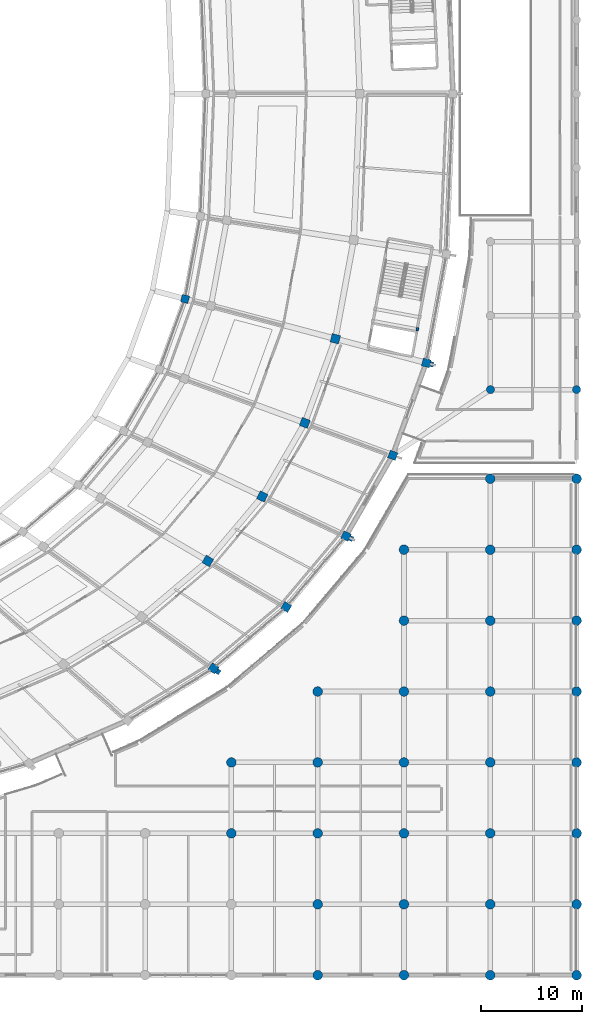
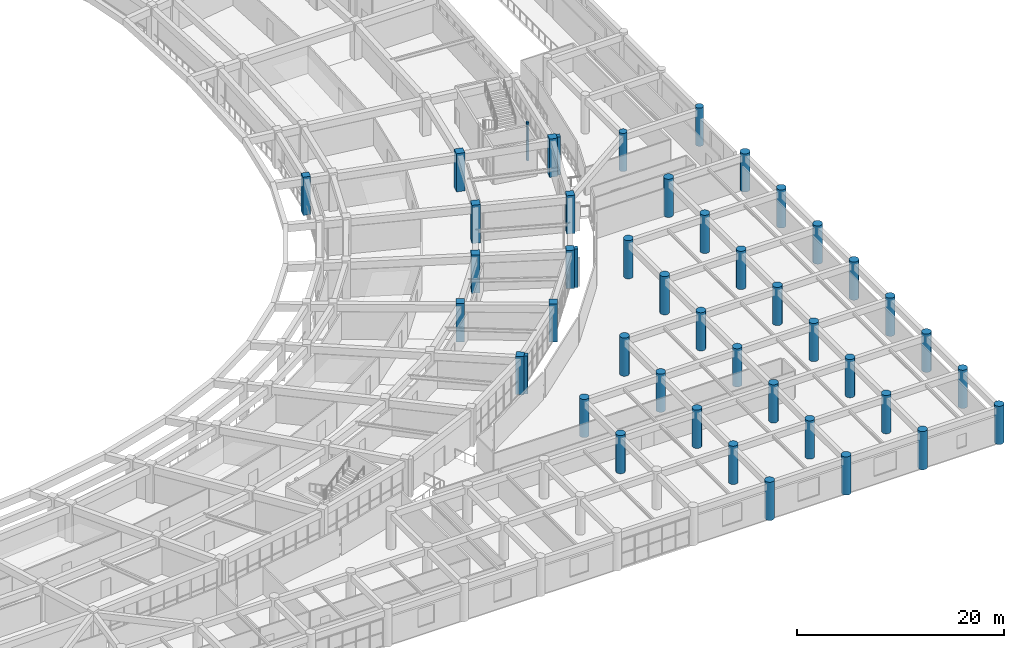
# One storey, part 5 of 145: 46 columns.
"""IFC4 building model written with IfcOpenShell, lengths in metres."""

from ifc_helpers import new_model, si_unit, direction, frame, origin, origin_2d, place, context, subcontext, project, spatial, rectangle, circle, extrude, material, material_profile, profile_set, type_object, element, save


model = new_model("IFC4")

# Units and contexts
model_context = context("Model", 3, precision=1e-05, world=origin(), true_north=direction((0.0, 1.0)))
body_context = subcontext(model_context, "Body", "Model", "MODEL_VIEW")
ifc_project = project(units=[si_unit("LENGTHUNIT", "METRE"), si_unit("AREAUNIT", "SQUARE_METRE"), si_unit("VOLUMEUNIT", "CUBIC_METRE"), si_unit("PLANEANGLEUNIT", "RADIAN"), si_unit("MASSUNIT", "GRAM", prefix="KILO")], contexts=[model_context])

# Site, building, storey
site_placement = place(None, origin())
site = spatial("IfcSite", under=ifc_project, at=site_placement, CompositionType="ELEMENT")
building_placement = place(site_placement, origin())
building = spatial("IfcBuilding", under=site, at=building_placement, Name="Mphavela Belvedere Stadium", CompositionType="ELEMENT")
storey_placement = place(building_placement, frame((0.0, 0.0, 10.199951171875)))
storey = spatial("IfcBuildingStorey", under=building, at=storey_placement, Name="L02", CompositionType="ELEMENT", Elevation=10.199951171875)

# Columns
ifc_material_1 = material(Name="Concrete C40/50", Category="concrete")
ifc_material_profile_1 = material_profile(ifc_material_1, rectangle(XDim=0.300048828125, YDim=0.219970703125, at=origin_2d()), Name="RC 300x220")
ifc_profile_set_1 = profile_set([ifc_material_profile_1], Name="Concrete C40/50")
column_type_1 = type_object("IfcColumnType", Name="COL-CORE-POST-300", PredefinedType="COLUMN", material=ifc_profile_set_1)
column_1_placement = place(storey_placement, frame((214.28955078125, 63.768798828125, 0.0), z_axis=(0.0, 0.0, 1.0), x_axis=(-0.182578735093, -0.983191235463, 0.0)))
element("IfcColumn", 1, at=column_1_placement, inside=storey, type_object=column_type_1, Name="Core C12 stair frame column L02-3", PredefinedType="COLUMN", context=body_context, shape_type="SweptSolid", body=[
    extrude(rectangle(XDim=0.300048828125, YDim=0.219970703125, at=origin_2d()), origin(), (0.0, 0.0, 1.0), 4.5),
])
ifc_material_2 = material(Name="Concrete C40/50", Category="concrete")
ifc_material_profile_2 = material_profile(ifc_material_2, circle(Radius=0.47509765625, at=origin_2d()), Name="COL D950")
ifc_profile_set_2 = profile_set([ifc_material_profile_2], Name="Concrete C40/50")
column_type_2 = type_object("IfcColumnType", Name="COL-DORIC-950", PredefinedType="COLUMN", material=ifc_profile_set_2)
for number, where, z_axis, x_axis, name in (
    (2, (195.926025390625, 14.0, 0.0), (0.0, 0.0, 1.0), (1.0, 0.0, 0.0), "South Axial Triumphal Peristyle Portico classical column L02 24-3"),
    (3, (195.926025390625, 21.0, 0.0), (0.0, 0.0, 1.0), (1.0, 0.0, 0.0), "South Axial Triumphal Peristyle Portico classical column L02 24-4"),
    (4, (204.444091796875, 0.0, 0.0), (0.0, 0.0, 1.0), (1.0, 0.0, 0.0), "South Axial Triumphal Peristyle Portico classical column L02 25-1"),
    (5, (204.444091796875, 7.0, 0.0), (0.0, 0.0, 1.0), (1.0, 0.0, 0.0), "South Axial Triumphal Peristyle Portico classical column L02 25-2"),
    (6, (204.444091796875, 14.0, 0.0), (0.0, 0.0, 1.0), (1.0, 0.0, 0.0), "South Axial Triumphal Peristyle Portico classical column L02 25-3"),
    (7, (204.444091796875, 21.0, 0.0), (0.0, 0.0, 1.0), (1.0, 0.0, 0.0), "South Axial Triumphal Peristyle Portico classical column L02 25-4"),
    (8, (204.444091796875, 28.0, 0.0), (0.0, 0.0, 1.0), (1.0, 0.0, 0.0), "South Axial Triumphal Peristyle Portico classical column L02 25-5"),
    (9, (212.962890625, 0.0, 0.0), (0.0, 0.0, 1.0), (1.0, 0.0, 0.0), "South Axial Triumphal Peristyle Portico classical column L02 26-1"),
    (10, (212.962890625, 7.0, 0.0), (0.0, 0.0, 1.0), (1.0, 0.0, 0.0), "South Axial Triumphal Peristyle Portico classical column L02 26-2"),
    (11, (212.962890625, 14.0, 0.0), (0.0, 0.0, 1.0), (1.0, 0.0, 0.0), "South Axial Triumphal Peristyle Portico classical column L02 26-3"),
    (12, (212.962890625, 21.0, 0.0), (0.0, 0.0, 1.0), (1.0, 0.0, 0.0), "South Axial Triumphal Peristyle Portico classical column L02 26-4"),
    (13, (212.962890625, 28.0, 0.0), (0.0, 0.0, 1.0), (1.0, 0.0, 0.0), "South Axial Triumphal Peristyle Portico classical column L02 26-5"),
    (14, (212.962890625, 35.0, 0.0), (0.0, 0.0, 1.0), (1.0, 0.0, 0.0), "South Axial Triumphal Peristyle Portico classical column L02 26-6"),
    (15, (212.962890625, 42.0, 0.0), (0.0, 0.0, 1.0), (1.0, 0.0, 0.0), "South Axial Triumphal Peristyle Portico classical column L02 26-7"),
    (16, (221.48095703125, 0.0, 0.0), (0.0, 0.0, 1.0), (1.0, 0.0, 0.0), "South Axial Triumphal Peristyle Portico classical column L02 27-1"),
    (17, (221.48095703125, 7.0, 0.0), (0.0, 0.0, 1.0), (1.0, 0.0, 0.0), "South Axial Triumphal Peristyle Portico classical column L02 27-2"),
    (18, (221.48095703125, 14.0, 0.0), (0.0, 0.0, 1.0), (1.0, 0.0, 0.0), "South Axial Triumphal Peristyle Portico classical column L02 27-3"),
    (19, (221.48095703125, 21.0, 0.0), (0.0, 0.0, 1.0), (1.0, 0.0, 0.0), "South Axial Triumphal Peristyle Portico classical column L02 27-4"),
    (20, (221.48095703125, 28.0, 0.0), (0.0, 0.0, 1.0), (1.0, 0.0, 0.0), "South Axial Triumphal Peristyle Portico classical column L02 27-5"),
    (21, (221.48095703125, 35.0, 0.0), (0.0, 0.0, 1.0), (1.0, 0.0, 0.0), "South Axial Triumphal Peristyle Portico classical column L02 27-6"),
    (22, (221.48095703125, 42.0, 0.0), (0.0, 0.0, 1.0), (1.0, 0.0, 0.0), "South Axial Triumphal Peristyle Portico classical column L02 27-7"),
    (23, (221.48095703125, 49.0, 0.0), (0.0, 0.0, 1.0), (1.0, 0.0, 0.0), "South Axial Triumphal Peristyle Portico classical column L02 27-8"),
    (24, (230.0, 0.0, 0.0), (0.0, 0.0, 1.0), (1.0, 0.0, 0.0), "South Axial Triumphal Peristyle Portico classical column L02 28-1"),
    (25, (230.0, 7.0, 0.0), (0.0, 0.0, 1.0), (1.0, 0.0, 0.0), "South Axial Triumphal Peristyle Portico classical column L02 28-2"),
    (26, (230.0, 14.0, 0.0), (0.0, 0.0, 1.0), (1.0, 0.0, 0.0), "South Axial Triumphal Peristyle Portico classical column L02 28-3"),
    (27, (230.0, 21.0, 0.0), (0.0, 0.0, 1.0), (1.0, 0.0, 0.0), "South Axial Triumphal Peristyle Portico classical column L02 28-4"),
    (28, (230.0, 28.0, 0.0), (0.0, 0.0, 1.0), (1.0, 0.0, 0.0), "South Axial Triumphal Peristyle Portico classical column L02 28-5"),
    (29, (230.0, 35.0, 0.0), (0.0, 0.0, 1.0), (1.0, 0.0, 0.0), "South Axial Triumphal Peristyle Portico classical column L02 28-6"),
    (30, (230.0, 42.0, 0.0), (0.0, 0.0, 1.0), (1.0, 0.0, 0.0), "South Axial Triumphal Peristyle Portico classical column L02 28-7"),
    (31, (230.0, 49.0, 0.0), (0.0, 0.0, 1.0), (1.0, 0.0, 0.0), "South Axial Triumphal Peristyle Portico classical column L02 28-8"),
):
    element("IfcColumn", number, at=place(storey_placement, frame(where, z_axis=z_axis, x_axis=x_axis)), inside=storey, type_object=column_type_2, Name=name, PredefinedType="COLUMN", context=body_context, shape_type="SweptSolid", body=[
        extrude(circle(Radius=0.47509765625, at=origin_2d()), origin(), (0.0, 0.0, 1.0), 4.5),
    ])
ifc_material_3 = material(Name="Concrete C40/50", Category="concrete")
ifc_material_profile_3 = material_profile(ifc_material_3, circle(Radius=0.39990234375, at=origin_2d()), Name="COL D800")
ifc_profile_set_3 = profile_set([ifc_material_profile_3], Name="Concrete C40/50")
column_type_3 = type_object("IfcColumnType", Name="COL-PERISTYLE-800", PredefinedType="COLUMN", material=ifc_profile_set_3)
for number, where, z_axis, x_axis, name in (
    (32, (221.5, 57.800048828125, 0.0), (0.0, 0.0, 1.0), (1.0, 0.0, 0.0), "East Planted Eaves Peristyle Colonnade classical column L02 8-2"),
    (33, (230.0, 57.800048828125, 0.0), (0.0, 0.0, 1.0), (1.0, 0.0, 0.0), "East Planted Eaves Peristyle Colonnade classical column L02 9-2"),
):
    element("IfcColumn", number, at=place(storey_placement, frame(where, z_axis=z_axis, x_axis=x_axis)), inside=storey, type_object=column_type_3, Name=name, PredefinedType="COLUMN", context=body_context, shape_type="SweptSolid", body=[
        extrude(circle(Radius=0.39990234375, at=origin_2d()), origin(), (0.0, 0.0, 1.0), 4.5),
    ])
ifc_material_4 = material(Name="Concrete C40/50", Category="concrete")
ifc_material_profile_4 = material_profile(ifc_material_4, rectangle(XDim=0.75, YDim=0.75, at=origin_2d()), Name="RC 750x750")
ifc_profile_set_4 = profile_set([ifc_material_profile_4], Name="Concrete C40/50")
column_type_4 = type_object("IfcColumnType", Name="COL-RC750", PredefinedType="COLUMN", material=ifc_profile_set_4)
column_2_placement = place(storey_placement, frame((191.351806640625, 66.75244140625, 0.0), z_axis=(0.0, 0.0, 1.0), x_axis=(0.966600102017, -0.256289373133, 0.0)))
element("IfcColumn", 34, at=column_2_placement, inside=storey, type_object=column_type_4, Name="Inner concourse column L02 R1-47", PredefinedType="COLUMN", context=body_context, shape_type="SweptSolid", body=[
    extrude(rectangle(XDim=0.75, YDim=0.75, at=origin_2d()), origin(), (0.0, 0.0, 1.0), 4.5),
])
ifc_material_5 = material(Name="Concrete C40/50", Category="concrete")
ifc_material_profile_5 = material_profile(ifc_material_5, rectangle(XDim=0.800048828125, YDim=0.800048828125, at=origin_2d()), Name="RC 800x800")
ifc_profile_set_5 = profile_set([ifc_material_profile_5], Name="Concrete C40/50")
column_type_5 = type_object("IfcColumnType", Name="COL-RC800", PredefinedType="COLUMN", material=ifc_profile_set_5)
for number, where, z_axis, x_axis, name in (
    (35, (194.155517578125, 30.285400390625, 0.0), (0.0, 0.0, 1.0), (0.812897512265, -0.582406760395, 0.0), "Outer colonnade column L02 R4-43"),
    (36, (201.33837890625, 36.346435546875, 0.0), (0.0, 0.0, 1.0), (0.862513669207, -0.506033764121, 0.0), "Outer colonnade column L02 R4-44"),
    (37, (207.242431640625, 43.33837890625, 0.0), (0.0, 0.0, 1.0), (0.903858661687, -0.4278311813, 0.0), "Outer colonnade column L02 R4-45"),
    (38, (211.856201171875, 51.317626953125, 0.0), (0.0, 0.0, 1.0), (0.938372433776, -0.34562577382, 0.0), "Outer colonnade column L02 R4-46"),
    (39, (215.16455078125, 60.4375, 0.0), (0.0, 0.0, 1.0), (0.966600102017, -0.256289373133, 0.0), "Outer colonnade column L02 R4-47"),
):
    element("IfcColumn", number, at=place(storey_placement, frame(where, z_axis=z_axis, x_axis=x_axis)), inside=storey, type_object=column_type_5, Name=name, PredefinedType="COLUMN", context=body_context, shape_type="SweptSolid", body=[
        extrude(rectangle(XDim=0.800048828125, YDim=0.800048828125, at=origin_2d()), origin(), (0.0, 0.0, 1.0), 4.5),
    ])
ifc_material_6 = material(Name="Concrete C40/50", Category="concrete")
ifc_material_profile_6 = material_profile(ifc_material_6, rectangle(XDim=0.85009765625, YDim=0.85009765625, at=origin_2d()), Name="RC 850x850")
ifc_profile_set_6 = profile_set([ifc_material_profile_6], Name="Concrete C40/50")
column_type_6 = type_object("IfcColumnType", Name="COL-RC850", PredefinedType="COLUMN", material=ifc_profile_set_6)
for number, where, z_axis, x_axis, name in (
    (40, (193.600341796875, 40.88623046875, 0.0), (0.0, 0.0, 1.0), (0.862513669207, -0.506033764121, 0.0), "Main bowl column L02 R3-44"),
    (41, (198.9755859375, 47.251708984375, 0.0), (0.0, 0.0, 1.0), (0.903858661687, -0.4278311813, 0.0), "Main bowl column L02 R3-45"),
    (42, (203.175537109375, 54.515625, 0.0), (0.0, 0.0, 1.0), (0.938372433776, -0.34562577382, 0.0), "Main bowl column L02 R3-46"),
    (43, (206.1875, 62.818115234375, 0.0), (0.0, 0.0, 1.0), (0.966600102017, -0.256289373133, 0.0), "Main bowl column L02 R3-47"),
):
    element("IfcColumn", number, at=place(storey_placement, frame(where, z_axis=z_axis, x_axis=x_axis)), inside=storey, type_object=column_type_6, Name=name, PredefinedType="COLUMN", context=body_context, shape_type="SweptSolid", body=[
        extrude(rectangle(XDim=0.85009765625, YDim=0.85009765625, at=origin_2d()), origin(), (0.0, 0.0, 1.0), 4.5),
    ])
ifc_material_7 = material(Name="Concrete C40/50", Category="concrete")
ifc_material_profile_7 = material_profile(ifc_material_7, rectangle(XDim=0.5, YDim=0.35009765625, at=origin_2d()), Name="PIL 500x350")
ifc_profile_set_7 = profile_set([ifc_material_profile_7], Name="Concrete C40/50")
column_type_7 = type_object("IfcColumnType", Name="PIL-FLUTED-500", PredefinedType="PILASTER", material=ifc_profile_set_7)
for number, where, z_axis, x_axis, name in (
    (44, (194.62548828125, 29.948974609375, 0.0), (0.0, 0.0, 1.0), (0.582406760395, 0.812897512265, 0.0), "Fluted classical pilaster L02-43"),
    (45, (207.764892578125, 43.09130859375, 0.0), (0.0, 0.0, 1.0), (0.4278311813, 0.903858661687, 0.0), "Fluted classical pilaster L02-45"),
    (46, (215.723388671875, 60.289306640625, 0.0), (0.0, 0.0, 1.0), (0.256289373133, 0.966600102017, 0.0), "Fluted classical pilaster L02-47"),
):
    element("IfcColumn", number, at=place(storey_placement, frame(where, z_axis=z_axis, x_axis=x_axis)), inside=storey, type_object=column_type_7, Name=name, PredefinedType="PILASTER", context=body_context, shape_type="SweptSolid", body=[
        extrude(rectangle(XDim=0.5, YDim=0.35009765625, at=origin_2d()), origin(), (0.0, 0.0, 1.0), 4.5),
    ])

save(model, "model.ifc")
